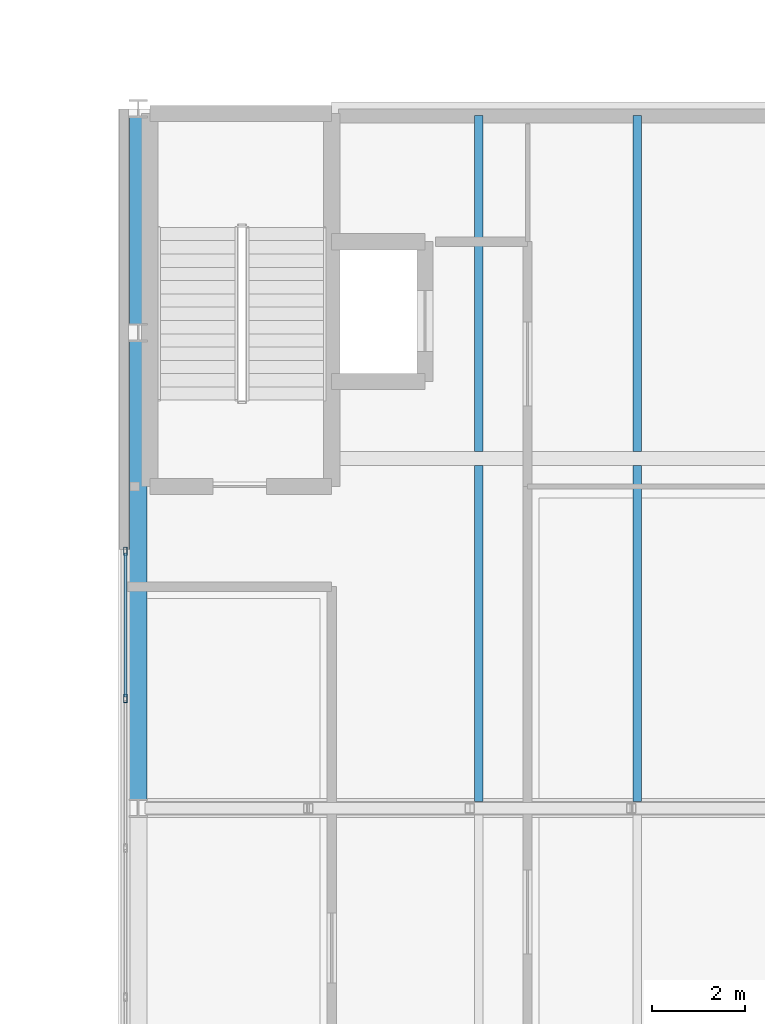
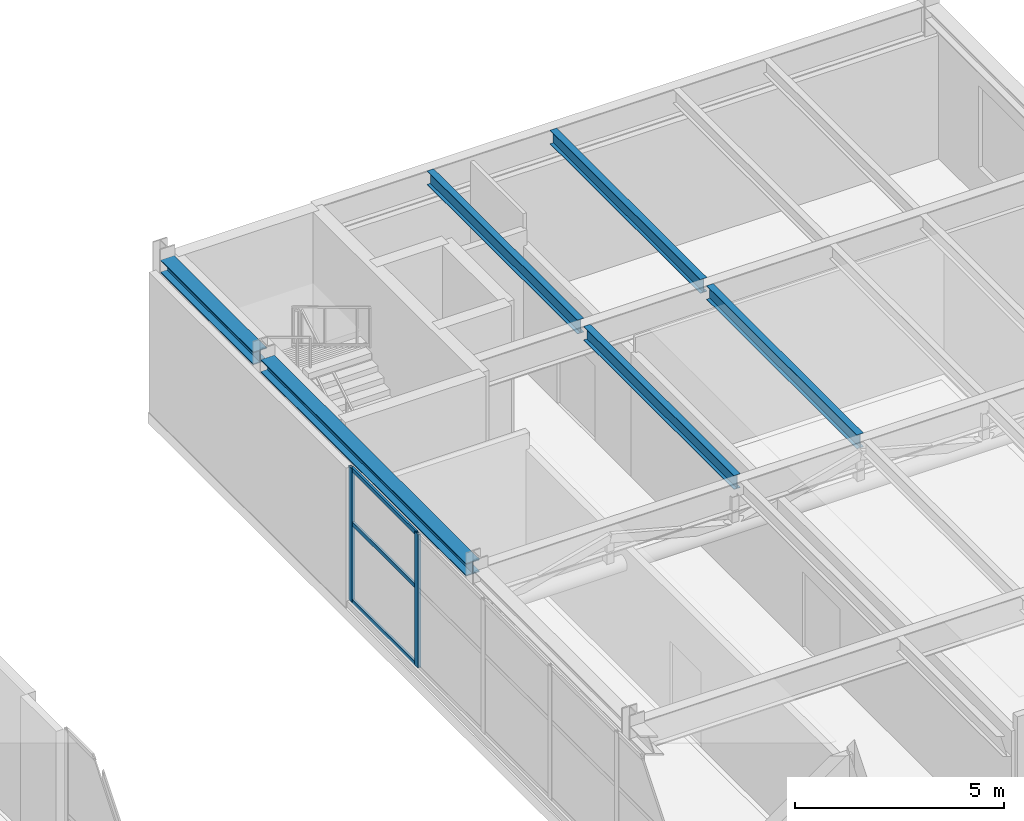
# One storey, part 15 of 29: 6 beams, 5 members, 1 element without a shape of its own.
"""IFC4 building model written with IfcOpenShell, lengths in metres."""

from ifc_helpers import new_model, si_unit, direction, frame, origin, origin_2d, place, context, subcontext, project, spatial, hollow_rectangle, i_section, extrude, material, layer, layer_set, material_profile, profile_set, type_object, element, aggregate, save


model = new_model("IFC4")

# Units and contexts
model_context = context("Model", 3, precision=1e-05, world=origin(), true_north=direction((0.0, 1.0)))
body_context = subcontext(model_context, "Body", "Model", "MODEL_VIEW")
ifc_project = project(units=[si_unit("LENGTHUNIT", "METRE"), si_unit("AREAUNIT", "SQUARE_METRE"), si_unit("VOLUMEUNIT", "CUBIC_METRE"), si_unit("PLANEANGLEUNIT", "RADIAN"), si_unit("MASSUNIT", "GRAM", prefix="KILO")], contexts=[model_context])

# Site, building, storey
site_placement = place(None, origin())
site = spatial("IfcSite", under=ifc_project, at=site_placement, CompositionType="ELEMENT")
building_placement = place(site_placement, origin())
building = spatial("IfcBuilding", under=site, at=building_placement, Name="Mersakhor Tower and Convention Hall", CompositionType="ELEMENT")
storey_placement = place(building_placement, frame((0.0, 0.0, 9.60009765625)))
storey = spatial("IfcBuildingStorey", under=building, at=storey_placement, Name="L02", CompositionType="ELEMENT", Elevation=9.60009765625)

# Beams
ifc_material_1 = material(Name="Steel S355", Category="steel")
ifc_material_profile_1 = material_profile(ifc_material_1, i_section(OverallWidth=0.1787109375, OverallDepth=0.409423828125, WebThickness=0.0087890625, FlangeThickness=0.014404296875, at=origin_2d()), Name="UB 406x178x67")
ifc_profile_set_1 = profile_set([ifc_material_profile_1], Name="Steel S355")
beam_type_1 = type_object("IfcBeamType", Name="BM-JST-406", PredefinedType="JOIST", material=ifc_profile_set_1)
for number, where, z_axis, x_axis, name in (
    (1, (62.800048828125, 33.39697265625, 4.275146484375), (0.0, 1.0, 0.0), (-1.0, 0.0, 0.0), "Convention L02 Composite Floor Joist CJ-5-62"),
    (2, (66.199951171875, 33.39697265625, 4.275146484375), (0.0, 1.0, 0.0), (-1.0, 0.0, 0.0), "Convention L02 Composite Floor Joist CJ-5-66"),
    (3, (62.800048828125, 40.89697265625, 4.275146484375), (0.0, 1.0, 0.0), (-1.0, 0.0, 0.0), "Convention L02 Composite Floor Joist CJ-6-62"),
    (4, (66.199951171875, 40.89697265625, 4.275146484375), (0.0, 1.0, 0.0), (-1.0, 0.0, 0.0), "Convention L02 Composite Floor Joist CJ-6-66"),
):
    element("IfcBeam", number, at=place(storey_placement, frame(where, z_axis=z_axis, x_axis=x_axis)), inside=storey, type_object=beam_type_1, Name=name, PredefinedType="JOIST", context=body_context, shape_type="SweptSolid", body=[
        extrude(i_section(OverallWidth=0.1787109375, OverallDepth=0.409423828125, WebThickness=0.0087890625, FlangeThickness=0.014404296875, at=origin_2d()), origin(), (0.0, 0.0, 1.0), 7.2060546875),
    ])
ifc_material_2 = material(Name="Steel S355", Category="steel")
ifc_material_profile_2 = material_profile(ifc_material_2, i_section(OverallWidth=0.374755859375, OverallDepth=0.37451171875, WebThickness=0.0166015625, FlangeThickness=0.027099609375, at=origin_2d()), Name="UC 356x368x202")
ifc_profile_set_2 = profile_set([ifc_material_profile_2], Name="Steel S355")
beam_type_2 = type_object("IfcBeamType", Name="BM-SPD-UC356", PredefinedType="SPANDREL", material=ifc_profile_set_2)
beam_1_placement = place(storey_placement, frame((55.5, 33.429931640625, 4.29296875), z_axis=(0.0, 1.0, 0.0), x_axis=(-1.0, 0.0, 0.0)))
element("IfcBeam", 5, at=beam_1_placement, inside=storey, type_object=beam_type_2, Name="Convention L02 Edge Spandrel W5", PredefinedType="SPANDREL", context=body_context, shape_type="SweptSolid", body=[
    extrude(i_section(OverallWidth=0.374755859375, OverallDepth=0.37451171875, WebThickness=0.0166015625, FlangeThickness=0.027099609375, at=origin_2d()), origin(), (0.0, 0.0, 1.0), 9.840087890625),
])
beam_2_placement = place(storey_placement, frame((55.5, 43.6298828125, 4.29296875), z_axis=(0.0, 1.0, 0.0), x_axis=(-1.0, 0.0, 0.0)))
element("IfcBeam", 6, at=beam_2_placement, inside=storey, type_object=beam_type_2, Name="Convention L02 Edge Spandrel W6", PredefinedType="SPANDREL", context=body_context, shape_type="SweptSolid", body=[
    extrude(i_section(OverallWidth=0.374755859375, OverallDepth=0.37451171875, WebThickness=0.0166015625, FlangeThickness=0.027099609375, at=origin_2d()), origin(), (0.0, 0.0, 1.0), 4.440185546875),
])

# Curtain wall, members
ifc_material_3 = material(Name="Dark solar low-E aluminium curtain wall", Category="aluminium")
ifc_layer = layer(ifc_material_3, 0.219970703125)
ifc_layer_set = layer_set([ifc_layer], Name="Dark solar low-E aluminium curtain wall")
curtain_wall_type = type_object("IfcCurtainWallType", Name="CW-SYS-07", PredefinedType="USERDEFINED", material=ifc_layer_set)
curtain_wall_placement = place(storey_placement, origin())
curtain_wall = element("IfcCurtainWall", 7, at=curtain_wall_placement, inside=storey, type_object=curtain_wall_type, Name="Convention L02 West Curtain Wall", ObjectType="CURTAIN WALL", PredefinedType="USERDEFINED")
ifc_material_4 = material(Name="Anodised aluminium EN AW-6063 T6", Category="aluminium")
ifc_material_profile_3 = material_profile(ifc_material_4, hollow_rectangle(XDim=0.080078125, YDim=0.179931640625, WallThickness=0.008056640625, at=origin_2d()), Name="RHS 180x80x8")
ifc_profile_set_3 = profile_set([ifc_material_profile_3], Name="Anodised aluminium EN AW-6063 T6")
member_type_1 = type_object("IfcMemberType", Name="CWM-180x80", PredefinedType="MULLION", material=ifc_profile_set_3)
member_1_placement = place(storey_placement, frame((55.22509765625, 35.60009765625, 0.199951171875), z_axis=(0.0, 0.0, 1.0), x_axis=(-1.0, 0.0, 0.0)))
member_1 = element("IfcMember", 8, at=member_1_placement, type_object=member_type_1, Name="CW-07 mullion 5", PredefinedType="MULLION", context=body_context, shape_type="SweptSolid", body=[
    extrude(hollow_rectangle(XDim=0.080078125, YDim=0.179931640625, WallThickness=0.008056640625, at=origin_2d()), origin(), (0.0, 0.0, 1.0), 3.89990234375),
])
member_2_placement = place(storey_placement, frame((55.22509765625, 38.760009765625, 0.199951171875), z_axis=(0.0, 0.0, 1.0), x_axis=(-1.0, 0.0, 0.0)))
member_2 = element("IfcMember", 9, at=member_2_placement, type_object=member_type_1, Name="CW-07 mullion 6", PredefinedType="MULLION", context=body_context, shape_type="SweptSolid", body=[
    extrude(hollow_rectangle(XDim=0.080078125, YDim=0.179931640625, WallThickness=0.008056640625, at=origin_2d()), origin(), (0.0, 0.0, 1.0), 3.89990234375),
])
ifc_material_5 = material(Name="Anodised aluminium EN AW-6063 T6", Category="aluminium")
ifc_material_profile_4 = material_profile(ifc_material_5, hollow_rectangle(XDim=0.06005859375, YDim=0.1201171875, WallThickness=0.0048828125, at=origin_2d()), Name="RHS 120x60x5")
ifc_profile_set_4 = profile_set([ifc_material_profile_4], Name="Anodised aluminium EN AW-6063 T6")
member_type_2 = type_object("IfcMemberType", Name="CWT-120x60", PredefinedType="USERDEFINED", material=ifc_profile_set_4)
member_3_placement = place(storey_placement, frame((55.22509765625, 35.639892578125, 0.22998046875), z_axis=(0.0, 1.0, 0.0), x_axis=(-1.0, 0.0, 0.0)))
member_3 = element("IfcMember", 10, at=member_3_placement, type_object=member_type_2, Name="CW-07 transom 5.1", ObjectType="TRANSOM", PredefinedType="USERDEFINED", context=body_context, shape_type="SweptSolid", body=[
    extrude(hollow_rectangle(XDim=0.06005859375, YDim=0.1201171875, WallThickness=0.0048828125, at=origin_2d()), origin(), (0.0, 0.0, 1.0), 3.080078125),
])
member_4_placement = place(storey_placement, frame((55.22509765625, 35.639892578125, 2.5), z_axis=(0.0, 1.0, 0.0), x_axis=(-1.0, 0.0, 0.0)))
member_4 = element("IfcMember", 11, at=member_4_placement, type_object=member_type_2, Name="CW-07 transom 5.2", ObjectType="TRANSOM", PredefinedType="USERDEFINED", context=body_context, shape_type="SweptSolid", body=[
    extrude(hollow_rectangle(XDim=0.06005859375, YDim=0.1201171875, WallThickness=0.0048828125, at=origin_2d()), origin(), (0.0, 0.0, 1.0), 3.080078125),
])
member_5_placement = place(storey_placement, frame((55.22509765625, 35.639892578125, 4.06982421875), z_axis=(0.0, 1.0, 0.0), x_axis=(-1.0, 0.0, 0.0)))
member_5 = element("IfcMember", 12, at=member_5_placement, type_object=member_type_2, Name="CW-07 transom 5.3", ObjectType="TRANSOM", PredefinedType="USERDEFINED", context=body_context, shape_type="SweptSolid", body=[
    extrude(hollow_rectangle(XDim=0.06005859375, YDim=0.1201171875, WallThickness=0.0048828125, at=origin_2d()), origin(), (0.0, 0.0, 1.0), 3.080078125),
])
aggregate(curtain_wall, [member_1, member_2, member_3, member_4, member_5])

save(model, "model.ifc")
